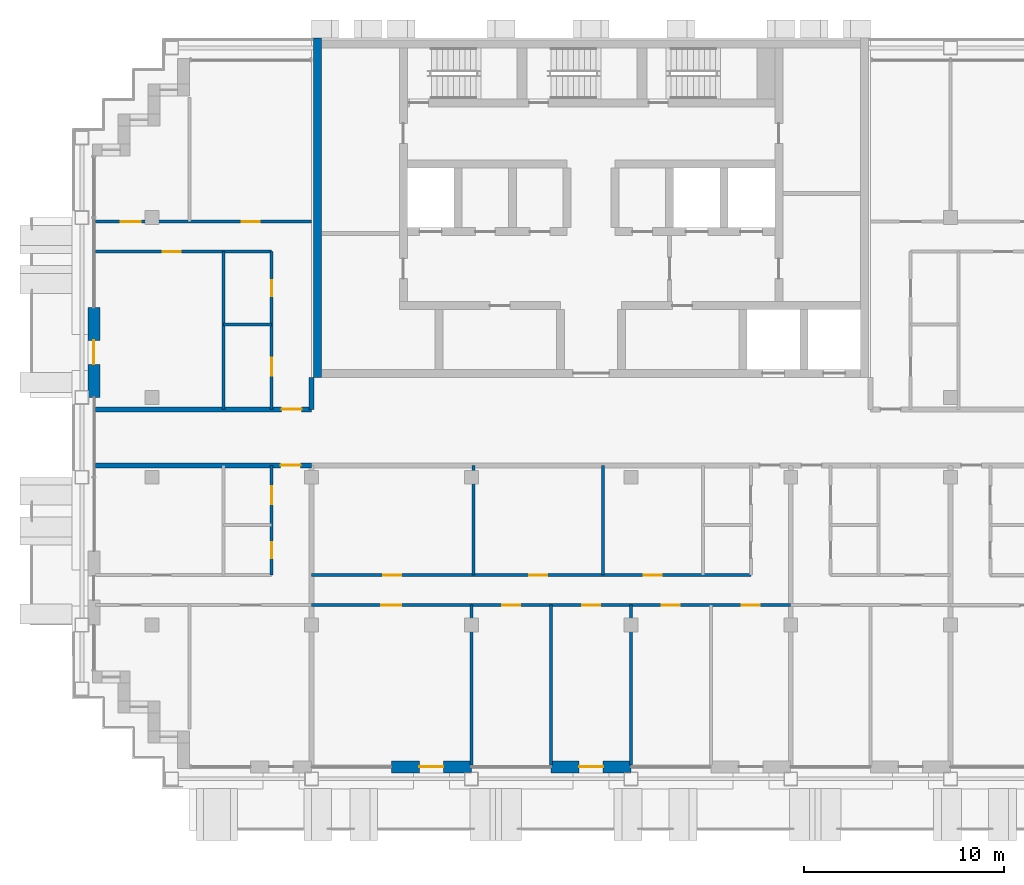
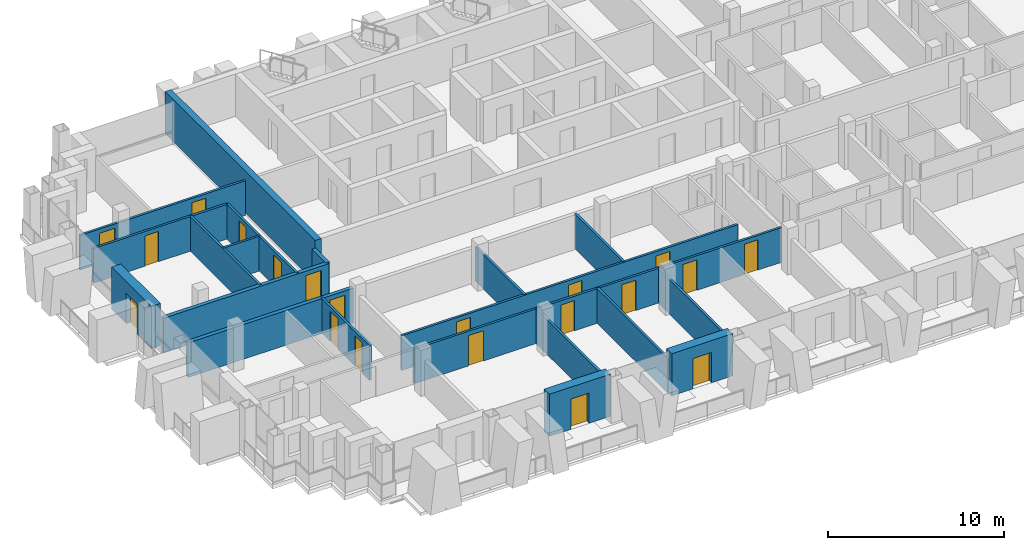
# One storey, part 8 of 16: 20 doors, 20 walls, 20 openings.
"""IFC4 building model written with IfcOpenShell, lengths in metres."""

from ifc_helpers import new_model, si_unit, direction, frame, frame_2d, origin, place, context, subcontext, project, spatial, rectangle, extrude, material, layer, layer_set, type_object, element, fill, save


model = new_model("IFC4")

# Units and contexts
model_context = context("Model", 3, precision=1e-05, world=origin(), true_north=direction((0.0, 1.0)))
body_context = subcontext(model_context, "Body", "Model", "MODEL_VIEW")
ifc_project = project(units=[si_unit("LENGTHUNIT", "METRE"), si_unit("AREAUNIT", "SQUARE_METRE"), si_unit("VOLUMEUNIT", "CUBIC_METRE"), si_unit("PLANEANGLEUNIT", "RADIAN"), si_unit("MASSUNIT", "GRAM", prefix="KILO")], contexts=[model_context])

# Site, building, storey
site_placement = place(None, origin())
site = spatial("IfcSite", under=ifc_project, at=site_placement, CompositionType="ELEMENT")
building_placement = place(site_placement, origin())
building = spatial("IfcBuilding", under=site, at=building_placement, Name="Vidyagriha Tower", CompositionType="ELEMENT")
storey_placement = place(building_placement, frame((0.0, 0.0, 184.5)))
storey = spatial("IfcBuildingStorey", under=building, at=storey_placement, Name="L48", CompositionType="ELEMENT", Elevation=184.5)

# Wall, opening, door
ifc_material_1 = material(Name="Precast concrete C40/50 with brick facing", Category="concrete")
ifc_layer_1 = layer(ifc_material_1, 0.60009765625)
ifc_layer_set_1 = layer_set([ifc_layer_1], Name="Precast concrete C40/50 with brick facing")
wall_type_1 = type_object("IfcWallType", Name="Brick-faced precast wall 600", PredefinedType="STANDARD", material=ifc_layer_set_1)
wall_1_placement = place(storey_placement, frame((-24.89990234375, 6.5, 0.0), z_axis=(0.0, 0.0, 1.0), x_axis=(0.0, -1.0, 0.0)))
wall_1 = element("IfcWall", 1, at=wall_1_placement, inside=storey, type_object=wall_type_1, Name="Brick door bay wall L48 R16.3", PredefinedType="STANDARD", context=body_context, shape_type="SweptSolid", body=[
    extrude(rectangle(XDim=4.5, YDim=0.60009765625, at=frame_2d((2.25, 0.0))), origin(), (0.0, 0.0, 1.0), 2.919921875),
])
opening_1_placement = place(wall_1_placement, frame((1.64990234375, 0.0, 0.0)))
opening_1 = element("IfcOpeningElement", 2, at=opening_1_placement, cuts=wall_1, Name="Opening D48-67", PredefinedType="OPENING", context=body_context, shape_type="SweptSolid", body=[
    extrude(rectangle(XDim=1.199951171875, YDim=2.10009765625, at=frame_2d((0.60009765625, 1.050048828125))), frame((0.0, 0.31005859375, 0.0), z_axis=(0.0, -1.0, 0.0), x_axis=(1.0, 0.0, 0.0)), (0.0, 0.0, 1.0), 0.6201171875),
])
ifc_material_2 = material(Name="Aluminium framed glazed sliding door", Category="aluminium")
door_type_1 = type_object("IfcDoorType", Name="Balcony sliding door 1200x2100", OperationType="NOTDEFINED", PredefinedType="DOOR", material=ifc_material_2)
door_1_placement = place(opening_1_placement, origin())
door_1 = element("IfcDoor", 3, at=door_1_placement, inside=storey, type_object=door_type_1, Name="Door D48-67", OperationType="SLIDING_TO_LEFT", OverallHeight=2.10009765625, OverallWidth=1.199951171875, PredefinedType="DOOR", context=body_context, shape_type="SweptSolid", body=[
    extrude(rectangle(XDim=1.199951171875, YDim=2.10009765625, at=frame_2d((0.60009765625, 1.050048828125))), frame((0.0, 0.02490234375, 0.0), z_axis=(0.0, -1.0, 0.0), x_axis=(1.0, 0.0, 0.0)), (0.0, 0.0, 1.0), 0.050048828125),
])
fill(opening_1, door_1)

wall_2_placement = place(storey_placement, frame((-10.0, -16.5, 0.0)))
wall_2 = element("IfcWall", 4, at=wall_2_placement, inside=storey, type_object=wall_type_1, Name="Brick door bay wall L48 R23.4", PredefinedType="STANDARD", context=body_context, shape_type="SweptSolid", body=[
    extrude(rectangle(XDim=4.0, YDim=0.60009765625, at=frame_2d((2.0, 0.0))), origin(), (0.0, 0.0, 1.0), 2.919921875),
])
opening_2_placement = place(wall_2_placement, frame((1.39990234375, 0.0, 0.0)))
opening_2 = element("IfcOpeningElement", 5, at=opening_2_placement, cuts=wall_2, Name="Opening D48-70", PredefinedType="OPENING", context=body_context, shape_type="SweptSolid", body=[
    extrude(rectangle(XDim=1.199951171875, YDim=2.10009765625, at=frame_2d((0.60009765625, 1.050048828125))), frame((0.0, 0.31005859375, 0.0), z_axis=(0.0, -1.0, 0.0), x_axis=(1.0, 0.0, 0.0)), (0.0, 0.0, 1.0), 0.6201171875),
])
door_2_placement = place(opening_2_placement, origin())
door_2 = element("IfcDoor", 6, at=door_2_placement, inside=storey, type_object=door_type_1, Name="Door D48-70", OperationType="SLIDING_TO_LEFT", OverallHeight=2.10009765625, OverallWidth=1.199951171875, PredefinedType="DOOR", context=body_context, shape_type="SweptSolid", body=[
    extrude(rectangle(XDim=1.199951171875, YDim=2.10009765625, at=frame_2d((0.60009765625, 1.050048828125))), frame((0.0, 0.02490234375, 0.0), z_axis=(0.0, -1.0, 0.0), x_axis=(1.0, 0.0, 0.0)), (0.0, 0.0, 1.0), 0.050048828125),
])
fill(opening_2, door_2)

wall_3_placement = place(storey_placement, frame((-2.0, -16.5, 0.0)))
wall_3 = element("IfcWall", 7, at=wall_3_placement, inside=storey, type_object=wall_type_1, Name="Brick door bay wall L48 R23.6", PredefinedType="STANDARD", context=body_context, shape_type="SweptSolid", body=[
    extrude(rectangle(XDim=4.0, YDim=0.60009765625, at=frame_2d((2.0, 0.0))), origin(), (0.0, 0.0, 1.0), 2.919921875),
])
opening_3_placement = place(wall_3_placement, frame((1.39990234375, 0.0, 0.0)))
opening_3 = element("IfcOpeningElement", 8, at=opening_3_placement, cuts=wall_3, Name="Opening D48-71", PredefinedType="OPENING", context=body_context, shape_type="SweptSolid", body=[
    extrude(rectangle(XDim=1.199951171875, YDim=2.10009765625, at=frame_2d((0.60009765625, 1.050048828125))), frame((0.0, 0.31005859375, 0.0), z_axis=(0.0, -1.0, 0.0), x_axis=(1.0, 0.0, 0.0)), (0.0, 0.0, 1.0), 0.6201171875),
])
door_3_placement = place(opening_3_placement, origin())
door_3 = element("IfcDoor", 9, at=door_3_placement, inside=storey, type_object=door_type_1, Name="Door D48-71", OperationType="SLIDING_TO_LEFT", OverallHeight=2.10009765625, OverallWidth=1.199951171875, PredefinedType="DOOR", context=body_context, shape_type="SweptSolid", body=[
    extrude(rectangle(XDim=1.199951171875, YDim=2.10009765625, at=frame_2d((0.60009765625, 1.050048828125))), frame((0.0, 0.02490234375, 0.0), z_axis=(0.0, -1.0, 0.0), x_axis=(1.0, 0.0, 0.0)), (0.0, 0.0, 1.0), 0.050048828125),
])
fill(opening_3, door_3)

# Wall
ifc_material_3 = material(Name="Concrete C60/75", Category="concrete")
ifc_layer_2 = layer(ifc_material_3, 0.39990234375)
ifc_layer_set_2 = layer_set([ifc_layer_2], Name="Concrete C60/75")
wall_type_2 = type_object("IfcWallType", Name="Core shear wall 400 mm", PredefinedType="SHEAR", material=ifc_layer_set_2)
wall_4_placement = place(storey_placement, frame((-13.699951171875, 3.0, 0.0), z_axis=(0.0, 0.0, 1.0), x_axis=(0.0, 1.0, 0.0)))
element("IfcWall", 10, at=wall_4_placement, inside=storey, type_object=wall_type_2, Name="Core west wall", PredefinedType="SHEAR", context=body_context, shape_type="SweptSolid", body=[
    extrude(rectangle(XDim=17.0, YDim=0.39990234375, at=frame_2d((8.5, 0.0))), origin(), (0.0, 0.0, 1.0), 2.919921875),
])

# Wall, opening, door
ifc_material_4 = material(Name="Fired clay brick masonry", Category="masonry")
ifc_layer_3 = layer(ifc_material_4, 0.25)
ifc_layer_set_3 = layer_set([ifc_layer_3], Name="Fired clay brick masonry")
wall_type_3 = type_object("IfcWallType", Name="Fired clay brick corridor wall 250", PredefinedType="PARTITIONING", material=ifc_layer_set_3)
wall_5_placement = place(storey_placement, frame((-14.0, -1.39990234375, 0.0), z_axis=(0.0, 0.0, 1.0), x_axis=(-1.0, 0.0, 0.0)))
wall_5 = element("IfcWall", 11, at=wall_5_placement, inside=storey, type_object=wall_type_3, Name="Wall all-L48-w068", PredefinedType="PARTITIONING", context=body_context, shape_type="SweptSolid", body=[
    extrude(rectangle(XDim=10.820068359375, YDim=0.25, at=frame_2d((5.41015625, 0.0))), origin(), (0.0, 0.0, 1.0), 2.39990234375),
])
opening_4_placement = place(wall_5_placement, frame((0.547119140625, 0.0, 0.0)))
opening_4 = element("IfcOpeningElement", 12, at=opening_4_placement, cuts=wall_5, Name="Opening D48-20", PredefinedType="OPENING", context=body_context, shape_type="SweptSolid", body=[
    extrude(rectangle(XDim=1.0, YDim=2.10009765625, at=frame_2d((0.5, 1.050048828125))), frame((0.0, 0.135009765625, 0.0), z_axis=(0.0, -1.0, 0.0), x_axis=(1.0, 0.0, 0.0)), (0.0, 0.0, 1.0), 0.27001953125),
])
ifc_material_5 = material(Name="Fire-rated timber door leaf EI 60", Category="wood")
door_type_2 = type_object("IfcDoorType", Name="Flat entrance fire door 1000x2100", OperationType="NOTDEFINED", PredefinedType="DOOR", material=ifc_material_5)
door_4_placement = place(opening_4_placement, origin())
door_4 = element("IfcDoor", 13, at=door_4_placement, inside=storey, type_object=door_type_2, Name="Door D48-20", OperationType="SINGLE_SWING_LEFT", OverallHeight=2.10009765625, OverallWidth=1.0, PredefinedType="DOOR", context=body_context, shape_type="SweptSolid", body=[
    extrude(rectangle(XDim=1.0, YDim=2.10009765625, at=frame_2d((0.5, 1.050048828125))), frame((0.0, 0.02490234375, 0.0), z_axis=(0.0, -1.0, 0.0), x_axis=(1.0, 0.0, 0.0)), (0.0, 0.0, 1.0), 0.050048828125),
])
fill(opening_4, door_4)

wall_6_placement = place(storey_placement, frame((-24.820068359375, 1.39990234375, 0.0)))
wall_6 = element("IfcWall", 14, at=wall_6_placement, inside=storey, type_object=wall_type_3, Name="Wall all-L48-w083", PredefinedType="PARTITIONING", context=body_context, shape_type="SweptSolid", body=[
    extrude(rectangle(XDim=10.820068359375, YDim=0.25, at=frame_2d((5.41015625, 0.0))), origin(), (0.0, 0.0, 1.0), 2.39990234375),
])
opening_5_placement = place(wall_6_placement, frame((9.320068359375, 0.0, 0.0)))
opening_5 = element("IfcOpeningElement", 15, at=opening_5_placement, cuts=wall_6, Name="Opening D48-52", PredefinedType="OPENING", context=body_context, shape_type="SweptSolid", body=[
    extrude(rectangle(XDim=1.0, YDim=2.10009765625, at=frame_2d((0.5, 1.050048828125))), frame((0.0, 0.135009765625, 0.0), z_axis=(0.0, -1.0, 0.0), x_axis=(1.0, 0.0, 0.0)), (0.0, 0.0, 1.0), 0.27001953125),
])
door_5_placement = place(opening_5_placement, origin())
door_5 = element("IfcDoor", 16, at=door_5_placement, inside=storey, type_object=door_type_2, Name="Door D48-52", OperationType="SINGLE_SWING_RIGHT", OverallHeight=2.10009765625, OverallWidth=1.0, PredefinedType="DOOR", context=body_context, shape_type="SweptSolid", body=[
    extrude(rectangle(XDim=1.0, YDim=2.10009765625, at=frame_2d((0.5, 1.050048828125))), frame((0.0, 0.02490234375, 0.0), z_axis=(0.0, -1.0, 0.0), x_axis=(1.0, 0.0, 0.0)), (0.0, 0.0, 1.0), 0.050048828125),
])
fill(opening_5, door_5)

# Walls
wall_7_placement = place(storey_placement, frame((-14.0, 3.0, 0.0), z_axis=(0.0, 0.0, 1.0), x_axis=(0.0, -1.0, 0.0)))
element("IfcWall", 17, at=wall_7_placement, inside=storey, type_object=wall_type_3, Name="Wall all-L48-w116", PredefinedType="PARTITIONING", context=body_context, shape_type="SweptSolid", body=[
    extrude(rectangle(XDim=1.60009765625, YDim=0.25, at=frame_2d((0.800048828125, 0.0))), origin(), (0.0, 0.0, 1.0), 2.39990234375),
])
ifc_material_6 = material(Name="Gypsum board partition")
ifc_layer_4 = layer(ifc_material_6, 0.14990234375)
ifc_layer_set_4 = layer_set([ifc_layer_4], Name="Gypsum board partition")
wall_type_4 = type_object("IfcWallType", Name="Gypsum board partition 150", PredefinedType="PARTITIONING", material=ifc_layer_set_4)
for number, where, z_axis, x_axis, name in (
    (18, (0.60009765625, -6.89990234375, 0.0), (0.0, 0.0, 1.0), (0.0, 1.0, 0.0), "Wall all-L48-w018"),
    (19, (-5.89990234375, -6.89990234375, 0.0), (0.0, 0.0, 1.0), (0.0, 1.0, 0.0), "Wall all-L48-w019"),
):
    element("IfcWall", number, at=place(storey_placement, frame(where, z_axis=z_axis, x_axis=x_axis)), inside=storey, type_object=wall_type_4, Name=name, PredefinedType="PARTITIONING", context=body_context, shape_type="SweptSolid", body=[
        extrude(rectangle(XDim=5.5, YDim=0.14990234375, at=frame_2d((2.75, 0.0))), origin(), (0.0, 0.0, 1.0), 2.39990234375),
    ])

# Wall, openings, doors
wall_8_placement = place(storey_placement, frame((-14.0, -6.89990234375, 0.0)))
wall_8 = element("IfcWall", 20, at=wall_8_placement, inside=storey, type_object=wall_type_4, Name="Wall all-L48-w020", PredefinedType="PARTITIONING", context=body_context, shape_type="SweptSolid", body=[
    extrude(rectangle(XDim=22.0, YDim=0.14990234375, at=frame_2d((11.0, 0.0))), origin(), (0.0, 0.0, 1.0), 2.39990234375),
])
opening_6_placement = place(wall_8_placement, frame((16.64990234375, 0.0, 0.0)))
opening_6 = element("IfcOpeningElement", 21, at=opening_6_placement, cuts=wall_8, Name="Opening D48-23", PredefinedType="OPENING", context=body_context, shape_type="SweptSolid", body=[
    extrude(rectangle(XDim=0.89990234375, YDim=2.10009765625, at=frame_2d((0.449951171875, 1.050048828125))), frame((0.0, 0.0849609375, 0.0), z_axis=(0.0, -1.0, 0.0), x_axis=(1.0, 0.0, 0.0)), (0.0, 0.0, 1.0), 0.169921875),
])
opening_7_placement = place(wall_8_placement, frame((10.89990234375, 0.0, 0.0)))
opening_7 = element("IfcOpeningElement", 22, at=opening_7_placement, cuts=wall_8, Name="Opening D48-24", PredefinedType="OPENING", context=body_context, shape_type="SweptSolid", body=[
    extrude(rectangle(XDim=0.89990234375, YDim=2.10009765625, at=frame_2d((0.449951171875, 1.050048828125))), frame((0.0, 0.0849609375, 0.0), z_axis=(0.0, -1.0, 0.0), x_axis=(1.0, 0.0, 0.0)), (0.0, 0.0, 1.0), 0.169921875),
])
opening_8_placement = place(wall_8_placement, frame((3.60009765625, 0.0, 0.0)))
opening_8 = element("IfcOpeningElement", 23, at=opening_8_placement, cuts=wall_8, Name="Opening D48-25", PredefinedType="OPENING", context=body_context, shape_type="SweptSolid", body=[
    extrude(rectangle(XDim=0.89990234375, YDim=2.10009765625, at=frame_2d((0.449951171875, 1.050048828125))), frame((0.0, 0.0849609375, 0.0), z_axis=(0.0, -1.0, 0.0), x_axis=(1.0, 0.0, 0.0)), (0.0, 0.0, 1.0), 0.169921875),
])
ifc_material_7 = material(Name="Timber door leaf", Category="wood")
door_type_3 = type_object("IfcDoorType", Name="Room door 900x2100", OperationType="NOTDEFINED", PredefinedType="DOOR", material=ifc_material_7)
door_6_placement = place(opening_6_placement, origin())
door_6 = element("IfcDoor", 24, at=door_6_placement, inside=storey, type_object=door_type_3, Name="Door D48-23", OperationType="SINGLE_SWING_RIGHT", OverallHeight=2.10009765625, OverallWidth=0.89990234375, PredefinedType="DOOR", context=body_context, shape_type="SweptSolid", body=[
    extrude(rectangle(XDim=0.89990234375, YDim=2.10009765625, at=frame_2d((0.449951171875, 1.050048828125))), frame((0.0, 0.02490234375, 0.0), z_axis=(0.0, -1.0, 0.0), x_axis=(1.0, 0.0, 0.0)), (0.0, 0.0, 1.0), 0.050048828125),
])
fill(opening_6, door_6)
door_7_placement = place(opening_7_placement, origin())
door_7 = element("IfcDoor", 25, at=door_7_placement, inside=storey, type_object=door_type_3, Name="Door D48-24", OperationType="SINGLE_SWING_LEFT", OverallHeight=2.10009765625, OverallWidth=0.89990234375, PredefinedType="DOOR", context=body_context, shape_type="SweptSolid", body=[
    extrude(rectangle(XDim=0.89990234375, YDim=2.10009765625, at=frame_2d((0.449951171875, 1.050048828125))), frame((0.0, 0.02490234375, 0.0), z_axis=(0.0, -1.0, 0.0), x_axis=(1.0, 0.0, 0.0)), (0.0, 0.0, 1.0), 0.050048828125),
])
fill(opening_7, door_7)
door_8_placement = place(opening_8_placement, origin())
door_8 = element("IfcDoor", 26, at=door_8_placement, inside=storey, type_object=door_type_3, Name="Door D48-25", OperationType="SINGLE_SWING_RIGHT", OverallHeight=2.10009765625, OverallWidth=0.89990234375, PredefinedType="DOOR", context=body_context, shape_type="SweptSolid", body=[
    extrude(rectangle(XDim=0.89990234375, YDim=2.10009765625, at=frame_2d((0.449951171875, 1.050048828125))), frame((0.0, 0.02490234375, 0.0), z_axis=(0.0, -1.0, 0.0), x_axis=(1.0, 0.0, 0.0)), (0.0, 0.0, 1.0), 0.050048828125),
])
fill(opening_8, door_8)

wall_9_placement = place(storey_placement, frame((10.0, -8.39990234375, 0.0), z_axis=(0.0, 0.0, 1.0), x_axis=(-1.0, 0.0, 0.0)))
wall_9 = element("IfcWall", 27, at=wall_9_placement, inside=storey, type_object=wall_type_4, Name="Wall all-L48-w024", PredefinedType="PARTITIONING", context=body_context, shape_type="SweptSolid", body=[
    extrude(rectangle(XDim=24.0, YDim=0.14990234375, at=frame_2d((12.0, 0.0))), origin(), (0.0, 0.0, 1.0), 2.39990234375),
])
opening_9_placement = place(wall_9_placement, frame((19.5, 0.0, 0.0)))
opening_9 = element("IfcOpeningElement", 28, at=opening_9_placement, cuts=wall_9, Name="Opening D48-26", PredefinedType="OPENING", context=body_context, shape_type="SweptSolid", body=[
    extrude(rectangle(XDim=1.0, YDim=2.10009765625, at=frame_2d((0.5, 1.050048828125))), frame((0.0, 0.0849609375, 0.0), z_axis=(0.0, -1.0, 0.0), x_axis=(1.0, 0.0, 0.0)), (0.0, 0.0, 1.0), 0.169921875),
])
opening_10_placement = place(wall_9_placement, frame((13.550048828125, 0.0, 0.0)))
opening_10 = element("IfcOpeningElement", 29, at=opening_10_placement, cuts=wall_9, Name="Opening D48-27", PredefinedType="OPENING", context=body_context, shape_type="SweptSolid", body=[
    extrude(rectangle(XDim=0.89990234375, YDim=2.10009765625, at=frame_2d((0.449951171875, 1.050048828125))), frame((0.0, 0.0849609375, 0.0), z_axis=(0.0, -1.0, 0.0), x_axis=(1.0, 0.0, 0.0)), (0.0, 0.0, 1.0), 0.169921875),
])
opening_11_placement = place(wall_9_placement, frame((9.550048828125, 0.0, 0.0)))
opening_11 = element("IfcOpeningElement", 30, at=opening_11_placement, cuts=wall_9, Name="Opening D48-28", PredefinedType="OPENING", context=body_context, shape_type="SweptSolid", body=[
    extrude(rectangle(XDim=0.89990234375, YDim=2.10009765625, at=frame_2d((0.449951171875, 1.050048828125))), frame((0.0, 0.0849609375, 0.0), z_axis=(0.0, -1.0, 0.0), x_axis=(1.0, 0.0, 0.0)), (0.0, 0.0, 1.0), 0.169921875),
])
opening_12_placement = place(wall_9_placement, frame((5.550048828125, 0.0, 0.0)))
opening_12 = element("IfcOpeningElement", 31, at=opening_12_placement, cuts=wall_9, Name="Opening D48-29", PredefinedType="OPENING", context=body_context, shape_type="SweptSolid", body=[
    extrude(rectangle(XDim=0.89990234375, YDim=2.10009765625, at=frame_2d((0.449951171875, 1.050048828125))), frame((0.0, 0.0849609375, 0.0), z_axis=(0.0, -1.0, 0.0), x_axis=(1.0, 0.0, 0.0)), (0.0, 0.0, 1.0), 0.169921875),
])
opening_13_placement = place(wall_9_placement, frame((1.550048828125, 0.0, 0.0)))
opening_13 = element("IfcOpeningElement", 32, at=opening_13_placement, cuts=wall_9, Name="Opening D48-30", PredefinedType="OPENING", context=body_context, shape_type="SweptSolid", body=[
    extrude(rectangle(XDim=0.89990234375, YDim=2.10009765625, at=frame_2d((0.449951171875, 1.050048828125))), frame((0.0, 0.0849609375, 0.0), z_axis=(0.0, -1.0, 0.0), x_axis=(1.0, 0.0, 0.0)), (0.0, 0.0, 1.0), 0.169921875),
])
ifc_material_8 = material(Name="Timber door leaf", Category="wood")
door_type_4 = type_object("IfcDoorType", Name="Room door 1000x2100", OperationType="NOTDEFINED", PredefinedType="DOOR", material=ifc_material_8)
door_9_placement = place(opening_9_placement, origin())
door_9 = element("IfcDoor", 33, at=door_9_placement, inside=storey, type_object=door_type_4, Name="Door D48-26", OperationType="SINGLE_SWING_RIGHT", OverallHeight=2.10009765625, OverallWidth=1.0, PredefinedType="DOOR", context=body_context, shape_type="SweptSolid", body=[
    extrude(rectangle(XDim=1.0, YDim=2.10009765625, at=frame_2d((0.5, 1.050048828125))), frame((0.0, 0.02490234375, 0.0), z_axis=(0.0, -1.0, 0.0), x_axis=(1.0, 0.0, 0.0)), (0.0, 0.0, 1.0), 0.050048828125),
])
fill(opening_9, door_9)
door_10_placement = place(opening_10_placement, origin())
door_10 = element("IfcDoor", 34, at=door_10_placement, inside=storey, type_object=door_type_3, Name="Door D48-27", OperationType="SINGLE_SWING_RIGHT", OverallHeight=2.10009765625, OverallWidth=0.89990234375, PredefinedType="DOOR", context=body_context, shape_type="SweptSolid", body=[
    extrude(rectangle(XDim=0.89990234375, YDim=2.10009765625, at=frame_2d((0.449951171875, 1.050048828125))), frame((0.0, 0.02490234375, 0.0), z_axis=(0.0, -1.0, 0.0), x_axis=(1.0, 0.0, 0.0)), (0.0, 0.0, 1.0), 0.050048828125),
])
fill(opening_10, door_10)
door_11_placement = place(opening_11_placement, origin())
door_11 = element("IfcDoor", 35, at=door_11_placement, inside=storey, type_object=door_type_3, Name="Door D48-28", OperationType="SINGLE_SWING_RIGHT", OverallHeight=2.10009765625, OverallWidth=0.89990234375, PredefinedType="DOOR", context=body_context, shape_type="SweptSolid", body=[
    extrude(rectangle(XDim=0.89990234375, YDim=2.10009765625, at=frame_2d((0.449951171875, 1.050048828125))), frame((0.0, 0.02490234375, 0.0), z_axis=(0.0, -1.0, 0.0), x_axis=(1.0, 0.0, 0.0)), (0.0, 0.0, 1.0), 0.050048828125),
])
fill(opening_11, door_11)
door_12_placement = place(opening_12_placement, origin())
door_12 = element("IfcDoor", 36, at=door_12_placement, inside=storey, type_object=door_type_3, Name="Door D48-29", OperationType="SINGLE_SWING_RIGHT", OverallHeight=2.10009765625, OverallWidth=0.89990234375, PredefinedType="DOOR", context=body_context, shape_type="SweptSolid", body=[
    extrude(rectangle(XDim=0.89990234375, YDim=2.10009765625, at=frame_2d((0.449951171875, 1.050048828125))), frame((0.0, 0.02490234375, 0.0), z_axis=(0.0, -1.0, 0.0), x_axis=(1.0, 0.0, 0.0)), (0.0, 0.0, 1.0), 0.050048828125),
])
fill(opening_12, door_12)
door_13_placement = place(opening_13_placement, origin())
door_13 = element("IfcDoor", 37, at=door_13_placement, inside=storey, type_object=door_type_3, Name="Door D48-30", OperationType="SINGLE_SWING_RIGHT", OverallHeight=2.10009765625, OverallWidth=0.89990234375, PredefinedType="DOOR", context=body_context, shape_type="SweptSolid", body=[
    extrude(rectangle(XDim=0.89990234375, YDim=2.10009765625, at=frame_2d((0.449951171875, 1.050048828125))), frame((0.0, 0.02490234375, 0.0), z_axis=(0.0, -1.0, 0.0), x_axis=(1.0, 0.0, 0.0)), (0.0, 0.0, 1.0), 0.050048828125),
])
fill(opening_13, door_13)

# Walls
wall_10_placement = place(storey_placement, frame((-6.0, -8.39990234375, 0.0), z_axis=(0.0, 0.0, 1.0), x_axis=(0.0, -1.0, 0.0)))
element("IfcWall", 38, at=wall_10_placement, inside=storey, type_object=wall_type_4, Name="Wall all-L48-w030", PredefinedType="PARTITIONING", context=body_context, shape_type="SweptSolid", body=[
    extrude(rectangle(XDim=8.010009765625, YDim=0.14990234375, at=frame_2d((4.0048828125, 0.0))), origin(), (0.0, 0.0, 1.0), 2.39990234375),
])
wall_11_placement = place(storey_placement, frame((-2.0, -8.39990234375, 0.0), z_axis=(0.0, 0.0, 1.0), x_axis=(0.0, -1.0, 0.0)))
element("IfcWall", 39, at=wall_11_placement, inside=storey, type_object=wall_type_4, Name="Wall all-L48-w031", PredefinedType="PARTITIONING", context=body_context, shape_type="SweptSolid", body=[
    extrude(rectangle(XDim=8.02099609375, YDim=0.14990234375, at=frame_2d((4.010498046875, 0.0))), origin(), (0.0, 0.0, 1.0), 2.39990234375),
])
wall_12_placement = place(storey_placement, frame((2.0, -8.39990234375, 0.0), z_axis=(0.0, 0.0, 1.0), x_axis=(0.0, -1.0, 0.0)))
element("IfcWall", 40, at=wall_12_placement, inside=storey, type_object=wall_type_4, Name="Wall all-L48-w032", PredefinedType="PARTITIONING", context=body_context, shape_type="SweptSolid", body=[
    extrude(rectangle(XDim=8.010009765625, YDim=0.14990234375, at=frame_2d((4.0048828125, 0.0))), origin(), (0.0, 0.0, 1.0), 2.39990234375),
])
wall_13_placement = place(storey_placement, frame((-18.39990234375, 5.64990234375, 0.0)))
element("IfcWall", 41, at=wall_13_placement, inside=storey, type_object=wall_type_4, Name="Wall all-L48-w074", PredefinedType="PARTITIONING", context=body_context, shape_type="SweptSolid", body=[
    extrude(rectangle(XDim=2.39990234375, YDim=0.14990234375, at=frame_2d((1.199951171875, 0.0))), origin(), (0.0, 0.0, 1.0), 2.39990234375),
])
wall_14_placement = place(storey_placement, frame((-18.39990234375, 1.39990234375, 0.0), z_axis=(0.0, 0.0, 1.0), x_axis=(0.0, 1.0, 0.0)))
element("IfcWall", 42, at=wall_14_placement, inside=storey, type_object=wall_type_4, Name="Wall all-L48-w075", PredefinedType="PARTITIONING", context=body_context, shape_type="SweptSolid", body=[
    extrude(rectangle(XDim=7.900146484375, YDim=0.14990234375, at=frame_2d((3.9501953125, 0.0))), origin(), (0.0, 0.0, 1.0), 2.39990234375),
])

# Wall, opening, door
wall_15_placement = place(storey_placement, frame((-16.0, 9.300048828125, 0.0), z_axis=(0.0, 0.0, 1.0), x_axis=(-1.0, 0.0, 0.0)))
wall_15 = element("IfcWall", 43, at=wall_15_placement, inside=storey, type_object=wall_type_4, Name="Wall all-L48-w076", PredefinedType="PARTITIONING", context=body_context, shape_type="SweptSolid", body=[
    extrude(rectangle(XDim=8.820068359375, YDim=0.14990234375, at=frame_2d((4.41015625, 0.0))), origin(), (0.0, 0.0, 1.0), 2.39990234375),
])
opening_14_placement = place(wall_15_placement, frame((4.552978515625, 0.0, 0.0)))
opening_14 = element("IfcOpeningElement", 44, at=opening_14_placement, cuts=wall_15, Name="Opening D48-49", PredefinedType="OPENING", context=body_context, shape_type="SweptSolid", body=[
    extrude(rectangle(XDim=0.89990234375, YDim=2.10009765625, at=frame_2d((0.449951171875, 1.050048828125))), frame((0.0, 0.0849609375, 0.0), z_axis=(0.0, -1.0, 0.0), x_axis=(1.0, 0.0, 0.0)), (0.0, 0.0, 1.0), 0.169921875),
])
door_14_placement = place(opening_14_placement, origin())
door_14 = element("IfcDoor", 45, at=door_14_placement, inside=storey, type_object=door_type_3, Name="Door D48-49", OperationType="SINGLE_SWING_LEFT", OverallHeight=2.10009765625, OverallWidth=0.89990234375, PredefinedType="DOOR", context=body_context, shape_type="SweptSolid", body=[
    extrude(rectangle(XDim=0.89990234375, YDim=2.10009765625, at=frame_2d((0.449951171875, 1.050048828125))), frame((0.0, 0.02490234375, 0.0), z_axis=(0.0, -1.0, 0.0), x_axis=(1.0, 0.0, 0.0)), (0.0, 0.0, 1.0), 0.050048828125),
])
fill(opening_14, door_14)

# Wall, openings, doors
wall_16_placement = place(storey_placement, frame((-24.820068359375, 10.800048828125, 0.0)))
wall_16 = element("IfcWall", 46, at=wall_16_placement, inside=storey, type_object=wall_type_4, Name="Wall all-L48-w078", PredefinedType="PARTITIONING", context=body_context, shape_type="SweptSolid", body=[
    extrude(rectangle(XDim=10.820068359375, YDim=0.14990234375, at=frame_2d((5.41015625, 0.0))), origin(), (0.0, 0.0, 1.0), 2.39990234375),
])
opening_15_placement = place(wall_16_placement, frame((1.27294921875, 0.0, 0.0)))
opening_15 = element("IfcOpeningElement", 47, at=opening_15_placement, cuts=wall_16, Name="Opening D48-50", PredefinedType="OPENING", context=body_context, shape_type="SweptSolid", body=[
    extrude(rectangle(XDim=1.0, YDim=2.10009765625, at=frame_2d((0.5, 1.050048828125))), frame((0.0, 0.0849609375, 0.0), z_axis=(0.0, -1.0, 0.0), x_axis=(1.0, 0.0, 0.0)), (0.0, 0.0, 1.0), 0.169921875),
])
opening_16_placement = place(wall_16_placement, frame((7.320068359375, 0.0, 0.0)))
opening_16 = element("IfcOpeningElement", 48, at=opening_16_placement, cuts=wall_16, Name="Opening D48-51", PredefinedType="OPENING", context=body_context, shape_type="SweptSolid", body=[
    extrude(rectangle(XDim=0.89990234375, YDim=2.10009765625, at=frame_2d((0.449951171875, 1.050048828125))), frame((0.0, 0.0849609375, 0.0), z_axis=(0.0, -1.0, 0.0), x_axis=(1.0, 0.0, 0.0)), (0.0, 0.0, 1.0), 0.169921875),
])
door_15_placement = place(opening_15_placement, origin())
door_15 = element("IfcDoor", 49, at=door_15_placement, inside=storey, type_object=door_type_4, Name="Door D48-50", OperationType="SINGLE_SWING_LEFT", OverallHeight=2.10009765625, OverallWidth=1.0, PredefinedType="DOOR", context=body_context, shape_type="SweptSolid", body=[
    extrude(rectangle(XDim=1.0, YDim=2.10009765625, at=frame_2d((0.5, 1.050048828125))), frame((0.0, 0.02490234375, 0.0), z_axis=(0.0, -1.0, 0.0), x_axis=(1.0, 0.0, 0.0)), (0.0, 0.0, 1.0), 0.050048828125),
])
fill(opening_15, door_15)
door_16_placement = place(opening_16_placement, origin())
door_16 = element("IfcDoor", 50, at=door_16_placement, inside=storey, type_object=door_type_3, Name="Door D48-51", OperationType="SINGLE_SWING_RIGHT", OverallHeight=2.10009765625, OverallWidth=0.89990234375, PredefinedType="DOOR", context=body_context, shape_type="SweptSolid", body=[
    extrude(rectangle(XDim=0.89990234375, YDim=2.10009765625, at=frame_2d((0.449951171875, 1.050048828125))), frame((0.0, 0.02490234375, 0.0), z_axis=(0.0, -1.0, 0.0), x_axis=(1.0, 0.0, 0.0)), (0.0, 0.0, 1.0), 0.050048828125),
])
fill(opening_16, door_16)

ifc_material_9 = material(Name="Moisture resistant gypsum board partition")
ifc_layer_5 = layer(ifc_material_9, 0.14990234375)
ifc_layer_set_5 = layer_set([ifc_layer_5], Name="Moisture resistant gypsum board partition")
wall_type_5 = type_object("IfcWallType", Name="Gypsum board wet-area partition 150", PredefinedType="PARTITIONING", material=ifc_layer_set_5)
wall_17_placement = place(storey_placement, frame((-16.0, -6.89990234375, 0.0), z_axis=(0.0, 0.0, 1.0), x_axis=(0.0, 1.0, 0.0)))
wall_17 = element("IfcWall", 51, at=wall_17_placement, inside=storey, type_object=wall_type_5, Name="Wall all-L48-w001", PredefinedType="PARTITIONING", context=body_context, shape_type="SweptSolid", body=[
    extrude(rectangle(XDim=5.5, YDim=0.14990234375, at=frame_2d((2.75, 0.0))), origin(), (0.0, 0.0, 1.0), 2.39990234375),
])
opening_17_placement = place(wall_17_placement, frame((3.550048828125, 0.0, 0.0)))
opening_17 = element("IfcOpeningElement", 52, at=opening_17_placement, cuts=wall_17, Name="Opening D48-15", PredefinedType="OPENING", context=body_context, shape_type="SweptSolid", body=[
    extrude(rectangle(XDim=0.89990234375, YDim=2.10009765625, at=frame_2d((0.449951171875, 1.050048828125))), frame((0.0, 0.0849609375, 0.0), z_axis=(0.0, -1.0, 0.0), x_axis=(1.0, 0.0, 0.0)), (0.0, 0.0, 1.0), 0.169921875),
])
opening_18_placement = place(wall_17_placement, frame((0.85009765625, 0.0, 0.0)))
opening_18 = element("IfcOpeningElement", 53, at=opening_18_placement, cuts=wall_17, Name="Opening D48-16", PredefinedType="OPENING", context=body_context, shape_type="SweptSolid", body=[
    extrude(rectangle(XDim=0.800048828125, YDim=2.10009765625, at=frame_2d((0.39990234375, 1.050048828125))), frame((0.0, 0.0849609375, 0.0), z_axis=(0.0, -1.0, 0.0), x_axis=(1.0, 0.0, 0.0)), (0.0, 0.0, 1.0), 0.169921875),
])
ifc_material_10 = material(Name="Timber door leaf", Category="wood")
door_type_5 = type_object("IfcDoorType", Name="Bathroom door 800x2100", OperationType="NOTDEFINED", PredefinedType="DOOR", material=ifc_material_10)
door_17_placement = place(opening_18_placement, origin())
door_17 = element("IfcDoor", 54, at=door_17_placement, inside=storey, type_object=door_type_5, Name="Door D48-16", OperationType="SINGLE_SWING_RIGHT", OverallHeight=2.10009765625, OverallWidth=0.800048828125, PredefinedType="DOOR", context=body_context, shape_type="SweptSolid", body=[
    extrude(rectangle(XDim=0.800048828125, YDim=2.10009765625, at=frame_2d((0.39990234375, 1.050048828125))), frame((0.0, 0.02490234375, 0.0), z_axis=(0.0, -1.0, 0.0), x_axis=(1.0, 0.0, 0.0)), (0.0, 0.0, 1.0), 0.050048828125),
])
fill(opening_18, door_17)
ifc_material_11 = material(Name="Timber door leaf", Category="wood")
door_type_6 = type_object("IfcDoorType", Name="Kitchen door 900x2100", OperationType="NOTDEFINED", PredefinedType="DOOR", material=ifc_material_11)
door_18_placement = place(opening_17_placement, origin())
door_18 = element("IfcDoor", 55, at=door_18_placement, inside=storey, type_object=door_type_6, Name="Door D48-15", OperationType="SINGLE_SWING_LEFT", OverallHeight=2.10009765625, OverallWidth=0.89990234375, PredefinedType="DOOR", context=body_context, shape_type="SweptSolid", body=[
    extrude(rectangle(XDim=0.89990234375, YDim=2.10009765625, at=frame_2d((0.449951171875, 1.050048828125))), frame((0.0, 0.02490234375, 0.0), z_axis=(0.0, -1.0, 0.0), x_axis=(1.0, 0.0, 0.0)), (0.0, 0.0, 1.0), 0.050048828125),
])
fill(opening_17, door_18)

wall_18_placement = place(storey_placement, frame((-16.0, 1.39990234375, 0.0), z_axis=(0.0, 0.0, 1.0), x_axis=(0.0, 1.0, 0.0)))
wall_18 = element("IfcWall", 56, at=wall_18_placement, inside=storey, type_object=wall_type_5, Name="Wall all-L48-w071", PredefinedType="PARTITIONING", context=body_context, shape_type="SweptSolid", body=[
    extrude(rectangle(XDim=7.900146484375, YDim=0.14990234375, at=frame_2d((3.9501953125, 0.0))), origin(), (0.0, 0.0, 1.0), 2.39990234375),
])
opening_19_placement = place(wall_18_placement, frame((1.675048828125, 0.0, 0.0)))
opening_19 = element("IfcOpeningElement", 57, at=opening_19_placement, cuts=wall_18, Name="Opening D48-47", PredefinedType="OPENING", context=body_context, shape_type="SweptSolid", body=[
    extrude(rectangle(XDim=0.89990234375, YDim=2.10009765625, at=frame_2d((0.449951171875, 1.050048828125))), frame((0.0, 0.0849609375, 0.0), z_axis=(0.0, -1.0, 0.0), x_axis=(1.0, 0.0, 0.0)), (0.0, 0.0, 1.0), 0.169921875),
])
opening_20_placement = place(wall_18_placement, frame((5.675048828125, 0.0, 0.0)))
opening_20 = element("IfcOpeningElement", 58, at=opening_20_placement, cuts=wall_18, Name="Opening D48-48", PredefinedType="OPENING", context=body_context, shape_type="SweptSolid", body=[
    extrude(rectangle(XDim=0.800048828125, YDim=2.10009765625, at=frame_2d((0.39990234375, 1.050048828125))), frame((0.0, 0.0849609375, 0.0), z_axis=(0.0, -1.0, 0.0), x_axis=(1.0, 0.0, 0.0)), (0.0, 0.0, 1.0), 0.169921875),
])
door_19_placement = place(opening_20_placement, origin())
door_19 = element("IfcDoor", 59, at=door_19_placement, inside=storey, type_object=door_type_5, Name="Door D48-48", OperationType="SINGLE_SWING_LEFT", OverallHeight=2.10009765625, OverallWidth=0.800048828125, PredefinedType="DOOR", context=body_context, shape_type="SweptSolid", body=[
    extrude(rectangle(XDim=0.800048828125, YDim=2.10009765625, at=frame_2d((0.39990234375, 1.050048828125))), frame((0.0, 0.02490234375, 0.0), z_axis=(0.0, -1.0, 0.0), x_axis=(1.0, 0.0, 0.0)), (0.0, 0.0, 1.0), 0.050048828125),
])
fill(opening_20, door_19)
door_20_placement = place(opening_19_placement, origin())
door_20 = element("IfcDoor", 60, at=door_20_placement, inside=storey, type_object=door_type_6, Name="Door D48-47", OperationType="SINGLE_SWING_LEFT", OverallHeight=2.10009765625, OverallWidth=0.89990234375, PredefinedType="DOOR", context=body_context, shape_type="SweptSolid", body=[
    extrude(rectangle(XDim=0.89990234375, YDim=2.10009765625, at=frame_2d((0.449951171875, 1.050048828125))), frame((0.0, 0.02490234375, 0.0), z_axis=(0.0, -1.0, 0.0), x_axis=(1.0, 0.0, 0.0)), (0.0, 0.0, 1.0), 0.050048828125),
])
fill(opening_19, door_20)

save(model, "model.ifc")
